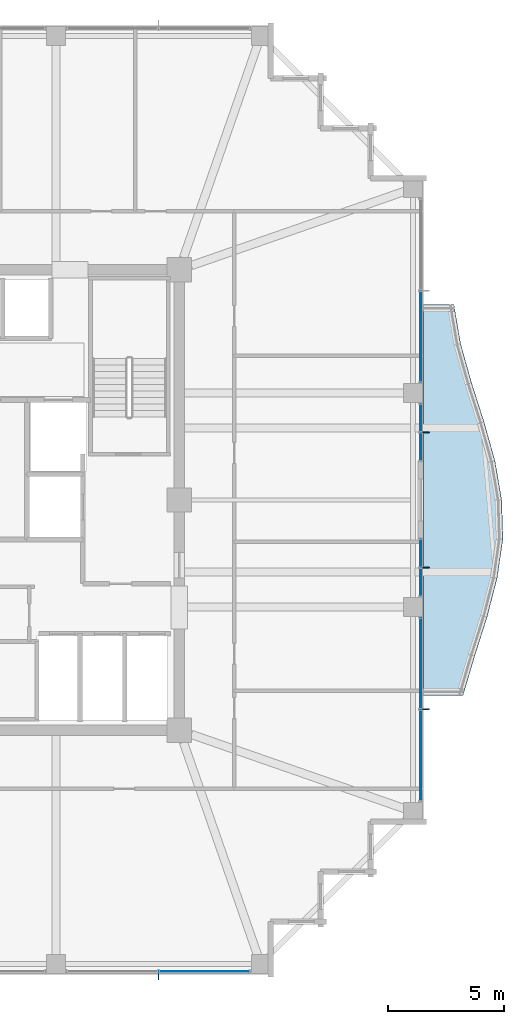
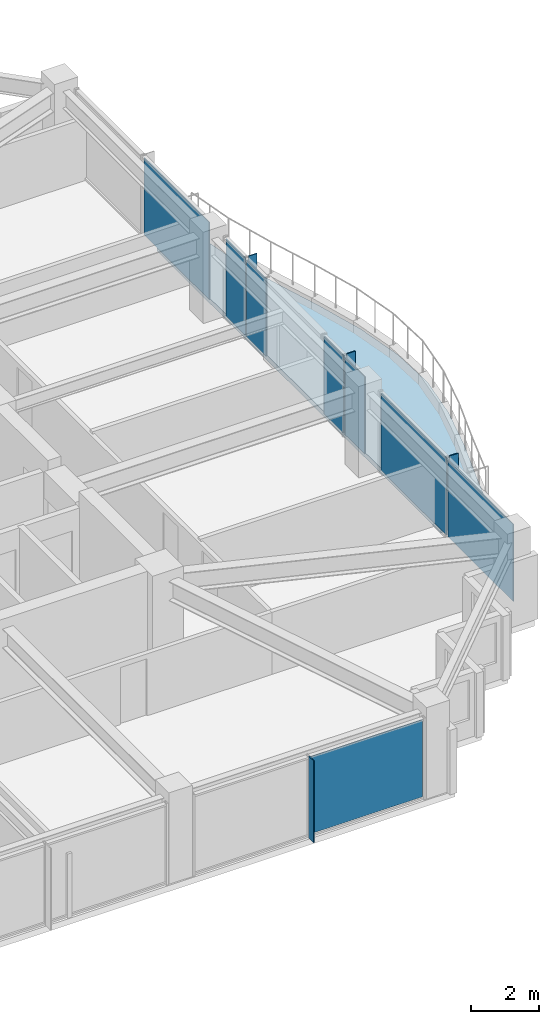
# One storey, part 25 of 34: 12 plates, 1 slab, 5 elements without a shape of their own.
"""IFC4 building model written with IfcOpenShell, lengths in metres."""

from ifc_helpers import new_model, si_unit, direction, frame, origin, origin_2d, place, context, subcontext, project, spatial, polyline, rectangle, outline, extrude, material, layer, layer_set, type_object, element, aggregate, save


model = new_model("IFC4")

# Units and contexts
model_context = context("Model", 3, precision=1e-05, world=origin(), true_north=direction((0.0, 1.0)))
body_context = subcontext(model_context, "Body", "Model", "MODEL_VIEW")
ifc_project = project(units=[si_unit("LENGTHUNIT", "METRE"), si_unit("AREAUNIT", "SQUARE_METRE"), si_unit("VOLUMEUNIT", "CUBIC_METRE"), si_unit("PLANEANGLEUNIT", "RADIAN"), si_unit("MASSUNIT", "GRAM", prefix="KILO")], contexts=[model_context])

# Site, building, storey
site_placement = place(None, origin())
site = spatial("IfcSite", under=ifc_project, at=site_placement, CompositionType="ELEMENT")
building_placement = place(site_placement, origin())
building = spatial("IfcBuilding", under=site, at=building_placement, Name="Kolvaren Belvedere", CompositionType="ELEMENT")
storey_placement = place(building_placement, frame((0.0, 0.0, 229.5)))
storey = spatial("IfcBuildingStorey", under=building, at=storey_placement, Name="L67", CompositionType="ELEMENT", Elevation=229.5)

# Curtain wall, plate
ifc_material_1 = material(Name="Anodised pale-metal aluminium AA 6063-T6", Category="aluminium")
curtain_wall_type = type_object("IfcCurtainWallType", Name="CW-Z5-HIGH", PredefinedType="NOTDEFINED", material=ifc_material_1)
curtain_wall_1_placement = place(storey_placement, origin())
curtain_wall_1 = element("IfcCurtainWall", 1, at=curtain_wall_1_placement, inside=storey, type_object=curtain_wall_type, Name="L67 Unitised Curtain Wall FCW-L67-S-B1", PredefinedType="NOTDEFINED")
ifc_material_2 = material(Name="Low-iron triple insulated glass", Category="glass")
ifc_layer_1 = layer(ifc_material_2, 0.028076171875)
ifc_layer_set_1 = layer_set([ifc_layer_1], Name="Low-iron triple insulated glass")
plate_type_1 = type_object("IfcPlateType", Name="CW-PNL-VIS28", PredefinedType="CURTAIN_PANEL", material=ifc_layer_set_1)
plate_1_placement = place(storey_placement, frame((10.972412109375, -20.280029296875, 0.080078125), z_axis=(0.0, 0.0, 1.0), x_axis=(-1.0, 0.0, 0.0)))
plate_1 = element("IfcPlate", 2, at=plate_1_placement, type_object=plate_type_1, Name="FCW-L67-S-B1 Vision Glazing Panel 1", PredefinedType="CURTAIN_PANEL", context=body_context, shape_type="SweptSolid", body=[
    extrude(rectangle(XDim=3.864990234375, YDim=0.028076171875, at=origin_2d()), origin(), (0.0, 0.0, 1.0), 2.7900390625),
])
aggregate(curtain_wall_1, [plate_1])

curtain_wall_2_placement = place(storey_placement, origin())
curtain_wall_2 = element("IfcCurtainWall", 3, at=curtain_wall_2_placement, inside=storey, type_object=curtain_wall_type, Name="L67 Unitised Curtain Wall FCW-L67-E1-B1", PredefinedType="NOTDEFINED")
plate_2_placement = place(storey_placement, frame((20.280029296875, 7.027587890625, 0.080078125), z_axis=(0.0, 0.0, 1.0), x_axis=(0.0, -1.0, 0.0)))
plate_2 = element("IfcPlate", 4, at=plate_2_placement, type_object=plate_type_1, Name="FCW-L67-E1-B1 Vision Glazing Panel 2", PredefinedType="CURTAIN_PANEL", context=body_context, shape_type="SweptSolid", body=[
    extrude(rectangle(XDim=3.864990234375, YDim=0.028076171875, at=origin_2d()), origin(), (0.0, 0.0, 1.0), 2.7900390625),
])
aggregate(curtain_wall_2, [plate_2])

# Curtain wall, plates
curtain_wall_3_placement = place(storey_placement, origin())
curtain_wall_3 = element("IfcCurtainWall", 5, at=curtain_wall_3_placement, inside=storey, type_object=curtain_wall_type, Name="L67 Unitised Curtain Wall FCW-L67-E1-B2", PredefinedType="NOTDEFINED")
plate_3_placement = place(storey_placement, frame((20.280029296875, 3.52880859375, 0.080078125), z_axis=(0.0, 0.0, 1.0), x_axis=(0.0, -1.0, 0.0)))
plate_3 = element("IfcPlate", 6, at=plate_3_placement, type_object=plate_type_1, Name="FCW-L67-E1-B2 Vision Glazing Panel 1", PredefinedType="CURTAIN_PANEL", context=body_context, shape_type="SweptSolid", body=[
    extrude(rectangle(XDim=1.152587890625, YDim=0.028076171875, at=origin_2d()), origin(), (0.0, 0.0, 1.0), 2.7900390625),
])
plate_4_placement = place(storey_placement, frame((20.280029296875, 2.296142578125, 0.080078125), z_axis=(0.0, 0.0, 1.0), x_axis=(0.0, -1.0, 0.0)))
plate_4 = element("IfcPlate", 7, at=plate_4_placement, type_object=plate_type_1, Name="FCW-L67-E1-B2 Vision Glazing Panel 2", PredefinedType="CURTAIN_PANEL", context=body_context, shape_type="SweptSolid", body=[
    extrude(rectangle(XDim=1.152587890625, YDim=0.028076171875, at=origin_2d()), origin(), (0.0, 0.0, 1.0), 2.7900390625),
])
aggregate(curtain_wall_3, [plate_3, plate_4])

curtain_wall_4_placement = place(storey_placement, origin())
curtain_wall_4 = element("IfcCurtainWall", 8, at=curtain_wall_4_placement, inside=storey, type_object=curtain_wall_type, Name="L67 Unitised Curtain Wall FCW-L67-E2-B1", PredefinedType="NOTDEFINED")
plate_5_placement = place(storey_placement, frame((20.280029296875, -2.296142578125, 0.080078125), z_axis=(0.0, 0.0, 1.0), x_axis=(0.0, -1.0, 0.0)))
plate_5 = element("IfcPlate", 9, at=plate_5_placement, type_object=plate_type_1, Name="FCW-L67-E2-B1 Vision Glazing Panel 1", PredefinedType="CURTAIN_PANEL", context=body_context, shape_type="SweptSolid", body=[
    extrude(rectangle(XDim=1.152587890625, YDim=0.028076171875, at=origin_2d()), origin(), (0.0, 0.0, 1.0), 2.7900390625),
])
plate_6_placement = place(storey_placement, frame((20.280029296875, -3.52880859375, 0.080078125), z_axis=(0.0, 0.0, 1.0), x_axis=(0.0, -1.0, 0.0)))
plate_6 = element("IfcPlate", 10, at=plate_6_placement, type_object=plate_type_1, Name="FCW-L67-E2-B1 Vision Glazing Panel 2", PredefinedType="CURTAIN_PANEL", context=body_context, shape_type="SweptSolid", body=[
    extrude(rectangle(XDim=1.152587890625, YDim=0.028076171875, at=origin_2d()), origin(), (0.0, 0.0, 1.0), 2.7900390625),
])
aggregate(curtain_wall_4, [plate_5, plate_6])

curtain_wall_5_placement = place(storey_placement, origin())
curtain_wall_5 = element("IfcCurtainWall", 11, at=curtain_wall_5_placement, inside=storey, type_object=curtain_wall_type, Name="L67 Unitised Curtain Wall FCW-L67-E2-B2", PredefinedType="NOTDEFINED")
plate_7_placement = place(storey_placement, frame((20.280029296875, -7.027587890625, 0.080078125), z_axis=(0.0, 0.0, 1.0), x_axis=(0.0, -1.0, 0.0)))
plate_7 = element("IfcPlate", 12, at=plate_7_placement, type_object=plate_type_1, Name="FCW-L67-E2-B2 Vision Glazing Panel 1", PredefinedType="CURTAIN_PANEL", context=body_context, shape_type="SweptSolid", body=[
    extrude(rectangle(XDim=3.864990234375, YDim=0.028076171875, at=origin_2d()), origin(), (0.0, 0.0, 1.0), 2.7900390625),
])
plate_8_placement = place(storey_placement, frame((20.280029296875, -10.972412109375, 0.080078125), z_axis=(0.0, 0.0, 1.0), x_axis=(0.0, -1.0, 0.0)))
plate_8 = element("IfcPlate", 13, at=plate_8_placement, type_object=plate_type_1, Name="FCW-L67-E2-B2 Vision Glazing Panel 2", PredefinedType="CURTAIN_PANEL", context=body_context, shape_type="SweptSolid", body=[
    extrude(rectangle(XDim=3.864990234375, YDim=0.028076171875, at=origin_2d()), origin(), (0.0, 0.0, 1.0), 2.7900390625),
])
aggregate(curtain_wall_5, [plate_7, plate_8])

# Plates
ifc_material_3 = material(Name="Anodised pale-metal aluminium AA 6063-T6", Category="aluminium")
ifc_layer_2 = layer(ifc_material_3, 0.030029296875)
ifc_layer_set_2 = layer_set([ifc_layer_2], Name="Anodised pale-metal aluminium AA 6063-T6")
plate_type_2 = type_object("IfcPlateType", Name="FIN-VERT-300", PredefinedType="USERDEFINED", material=ifc_layer_set_2)
for number, where, z_axis, x_axis, name in (
    (14, (9.0, -20.489990234375, 0.0), (0.0, 0.0, 1.0), (0.0, 1.0, 0.0), "L67 Pale-Metal Vertical Shading Fin FCW-L67-S-B1-1"),
    (15, (20.489990234375, 2.91259765625, 0.0), (0.0, 0.0, 1.0), (1.0, 0.0, 0.0), "L67 Pale-Metal Vertical Shading Fin FCW-L67-E1-B2-1"),
    (16, (20.489990234375, -2.91259765625, 0.0), (0.0, 0.0, 1.0), (1.0, 0.0, 0.0), "L67 Pale-Metal Vertical Shading Fin FCW-L67-E2-B1-1"),
    (17, (20.489990234375, -9.0, 0.0), (0.0, 0.0, 1.0), (1.0, 0.0, 0.0), "L67 Pale-Metal Vertical Shading Fin FCW-L67-E2-B2-1"),
):
    element("IfcPlate", number, at=place(storey_placement, frame(where, z_axis=z_axis, x_axis=x_axis)), inside=storey, type_object=plate_type_2, Name=name, ObjectType="VERTICAL FIN", PredefinedType="USERDEFINED", context=body_context, shape_type="SweptSolid", body=[
        extrude(rectangle(XDim=0.300048828125, YDim=0.030029296875, at=origin_2d()), origin(), (0.0, 0.0, 1.0), 2.949951171875),
    ])

# Slab
ifc_material_4 = material(Name="Concrete C50/60", Category="concrete")
ifc_layer_3 = layer(ifc_material_4, 0.179931640625)
ifc_layer_set_3 = layer_set([ifc_layer_3], Name="Concrete C50/60")
slab_type = type_object("IfcSlabType", Name="SL-BAL-180", PredefinedType="FLOOR", material=ifc_layer_set_3)
slab_placement = place(storey_placement, frame((0.0, 0.0, -0.219970703125)))
element("IfcSlab", 18, at=slab_placement, inside=storey, type_object=slab_type, Name="L67 Planted Balcony BAL-E", PredefinedType="FLOOR", context=body_context, shape_type="SweptSolid", body=[
    extrude(outline(polyline([(22.105224609375, -8.39990234375), (22.6044921875, -6.719970703125), (23.1376953125, -5.0400390625), (23.572265625, -3.360107421875), (23.820068359375, -1.679931640625), (23.76708984375, 0.0), (23.479248046875, 1.679931640625), (23.008544921875, 3.360107421875), (22.471435546875, 5.0400390625), (22.000732421875, 6.719970703125), (21.712890625, 8.39990234375), (20.39990234375, 8.39990234375), (20.39990234375, 6.719970703125), (20.39990234375, 5.0400390625), (20.39990234375, 3.360107421875), (20.39990234375, 1.679931640625), (20.39990234375, 0.0), (20.39990234375, -1.679931640625), (20.39990234375, -3.360107421875), (20.39990234375, -5.0400390625), (20.39990234375, -6.719970703125), (20.39990234375, -8.39990234375), (22.105224609375, -8.39990234375)])), origin(), (0.0, 0.0, 1.0), 0.179931640625),
])

save(model, "model.ifc")
